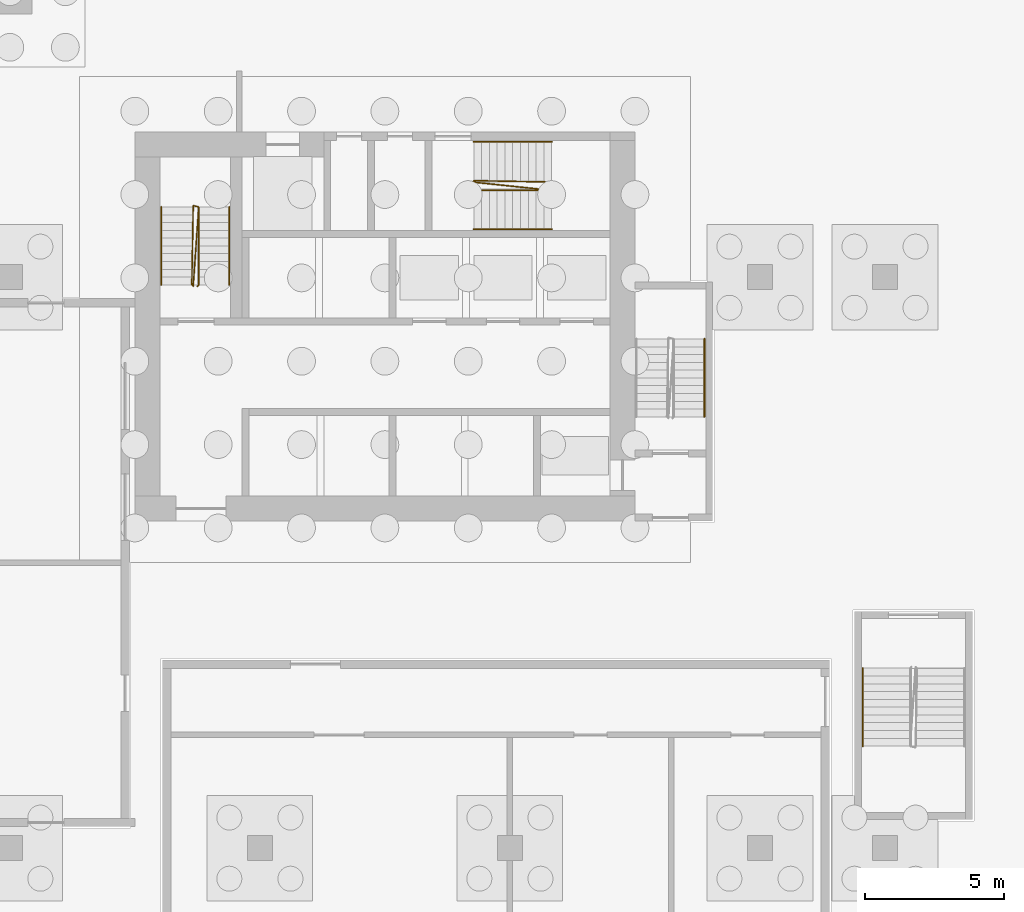
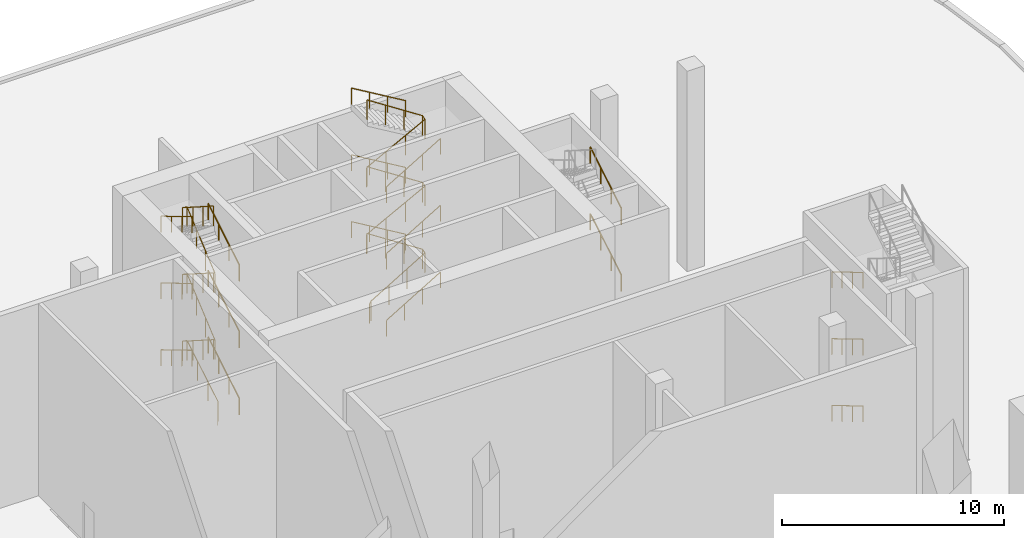
# One storey, part 24 of 26: 19 railings.
"""IFC4 building model written with IfcOpenShell, lengths in metres."""

from ifc_helpers import new_model, si_unit, direction, frame, origin, origin_2d, place, context, subcontext, project, spatial, circle, extrude, material, type_object, element, save


model = new_model("IFC4")

# Units and contexts
model_context = context("Model", 3, precision=1e-05, world=origin(), true_north=direction((0.0, 1.0)))
body_context = subcontext(model_context, "Body", "Model", "MODEL_VIEW")
ifc_project = project(units=[si_unit("LENGTHUNIT", "METRE"), si_unit("AREAUNIT", "SQUARE_METRE"), si_unit("VOLUMEUNIT", "CUBIC_METRE"), si_unit("PLANEANGLEUNIT", "RADIAN"), si_unit("MASSUNIT", "GRAM", prefix="KILO")], contexts=[model_context])

# Site, building, storey
site_placement = place(None, origin())
site = spatial("IfcSite", under=ifc_project, at=site_placement, CompositionType="ELEMENT")
building_placement = place(site_placement, origin())
building = spatial("IfcBuilding", under=site, at=building_placement, Name="Kajstack Hotel Tower", CompositionType="ELEMENT")
storey_placement = place(building_placement, origin())
storey = spatial("IfcBuildingStorey", under=building, at=storey_placement, Name="L00", CompositionType="ELEMENT", Elevation=0.0)

# Railings
ifc_material = material(Name="Steel S355J2", Category="steel")
railing_type_1 = type_object("IfcRailingType", Name="Stair guard 1100", PredefinedType="GUARDRAIL", material=ifc_material)
railing_1_placement = place(storey_placement, frame((15.75, 9.949951171875, 0.0)))
element("IfcRailing", 1, at=railing_1_placement, inside=storey, type_object=railing_type_1, Name="L00 E2 stair guard 1", PredefinedType="GUARDRAIL", context=body_context, shape_type="SweptSolid", body=[
    extrude(circle(Radius=0.02392578125, at=origin_2d()), frame((0.0, 0.0, 1.076171875), z_axis=(0.27628659633, 0.27628659633, 0.920506074601), x_axis=(-0.707106781187, 0.707106781187, 0.0)), (0.0, 0.0, 1.0), 0.18115234375),
    extrude(circle(Radius=0.02392578125, at=origin_2d()), frame((0.050048828125, 0.050048828125, 1.24267578125), z_axis=(0.0, 0.859318757487, 0.511440390497), x_axis=(-1.0, 0.0, 0.0)), (0.0, 0.0, 1.0), 3.258544921875),
    extrude(circle(Radius=0.02392578125, at=origin_2d()), frame((0.050048828125, 2.85009765625, 2.9091796875), z_axis=(-0.970072785993, 0.242814311512, 0.0), x_axis=(-0.242814311512, -0.970072785993, 0.0)), (0.0, 0.0, 1.0), 0.2060546875),
    extrude(circle(Radius=0.02392578125, at=origin_2d()), frame((-0.14990234375, 2.900146484375, 2.9091796875), z_axis=(-0.014766769939, -0.84091352328, 0.54096801095), x_axis=(0.999845851991, -0.017557683712, 0.0)), (0.0, 0.0, 1.0), 3.389404296875),
    extrude(circle(Radius=0.02392578125, at=origin_2d()), frame((-0.199951171875, 0.050048828125, 4.74267578125), z_axis=(0.707106781187, -0.707106781187, 0.0), x_axis=(0.707106781187, 0.707106781187, 0.0)), (0.0, 0.0, 1.0), 0.07080078125),
    extrude(circle(Radius=0.02392578125, at=origin_2d()), frame((-0.14990234375, 0.0, 4.74267578125), z_axis=(0.058901337739, 0.839577798244, 0.540036807179), x_axis=(-0.997548121837, 0.06998388828, 0.0)), (0.0, 0.0, 1.0), 3.394775390625),
    extrude(circle(Radius=0.02392578125, at=origin_2d()), frame((0.050048828125, 2.85009765625, 6.576171875), z_axis=(-0.970072785993, 0.242814311512, 0.0), x_axis=(-0.242814311512, -0.970072785993, 0.0)), (0.0, 0.0, 1.0), 0.2060546875),
    extrude(circle(Radius=0.02392578125, at=origin_2d()), frame((-0.14990234375, 2.900146484375, 6.576171875), z_axis=(-0.01476734536, -0.840946291363, 0.540917055152), x_axis=(0.999845851991, -0.017557683712, 0.0)), (0.0, 0.0, 1.0), 3.38916015625),
    extrude(circle(Radius=0.02392578125, at=origin_2d()), frame((-0.199951171875, 0.050048828125, 8.4091796875), z_axis=(0.707106781187, -0.707106781187, 0.0), x_axis=(0.707106781187, 0.707106781187, 0.0)), (0.0, 0.0, 1.0), 0.07080078125),
    extrude(circle(Radius=0.02392578125, at=origin_2d()), frame((-0.14990234375, 0.0, 8.4091796875), z_axis=(0.058899050069, 0.839545189867, 0.540087748493), x_axis=(-0.997548121837, 0.06998388828, 0.0)), (0.0, 0.0, 1.0), 3.394775390625),
    extrude(circle(Radius=0.02392578125, at=origin_2d()), frame((0.050048828125, 2.85009765625, 10.24267578125), z_axis=(-0.970072785993, 0.242814311512, 0.0), x_axis=(-0.242814311512, -0.970072785993, 0.0)), (0.0, 0.0, 1.0), 0.2060546875),
    extrude(circle(Radius=0.02392578125, at=origin_2d()), frame((-0.14990234375, 2.900146484375, 10.24267578125), z_axis=(-0.01476734536, -0.840946291363, 0.540917055152), x_axis=(0.999845851991, -0.017557683712, 0.0)), (0.0, 0.0, 1.0), 3.38916015625),
    extrude(circle(Radius=0.02099609375, at=origin_2d()), origin(), (0.0, 0.0, 1.0), 1.052001953125),
    extrude(circle(Radius=0.02099609375, at=origin_2d()), frame((0.050048828125, 0.050048828125, 0.166748046875)), (0.0, 0.0, 1.0), 1.052001953125),
    extrude(circle(Radius=0.02099609375, at=origin_2d()), frame((0.050048828125, 0.9833984375, 0.72216796875)), (0.0, 0.0, 1.0), 1.052001953125),
    extrude(circle(Radius=0.02099609375, at=origin_2d()), frame((0.050048828125, 1.916748046875, 1.27783203125)), (0.0, 0.0, 1.0), 1.052001953125),
    extrude(circle(Radius=0.02099609375, at=origin_2d()), frame((0.050048828125, 2.85009765625, 1.833251953125)), (0.0, 0.0, 1.0), 1.052001953125),
    extrude(circle(Radius=0.02099609375, at=origin_2d()), frame((-0.14990234375, 2.900146484375, 1.833251953125)), (0.0, 0.0, 1.0), 1.052001953125),
    extrude(circle(Radius=0.02099609375, at=origin_2d()), frame((-0.16650390625, 1.9501953125, 2.4443359375)), (0.0, 0.0, 1.0), 1.052001953125),
    extrude(circle(Radius=0.02099609375, at=origin_2d()), frame((-0.183349609375, 1.0, 3.0556640625)), (0.0, 0.0, 1.0), 1.052001953125),
    extrude(circle(Radius=0.02099609375, at=origin_2d()), frame((-0.199951171875, 0.050048828125, 3.666748046875)), (0.0, 0.0, 1.0), 1.052001953125),
    extrude(circle(Radius=0.02099609375, at=origin_2d()), frame((-0.14990234375, 0.0, 3.666748046875)), (0.0, 0.0, 1.0), 1.052001953125),
    extrude(circle(Radius=0.02099609375, at=origin_2d()), frame((-0.083251953125, 0.949951171875, 4.27783203125)), (0.0, 0.0, 1.0), 1.052001953125),
    extrude(circle(Radius=0.02099609375, at=origin_2d()), frame((-0.0166015625, 1.900146484375, 4.888916015625)), (0.0, 0.0, 1.0), 1.052001953125),
    extrude(circle(Radius=0.02099609375, at=origin_2d()), frame((0.050048828125, 2.85009765625, 5.5)), (0.0, 0.0, 1.0), 1.052001953125),
    extrude(circle(Radius=0.02099609375, at=origin_2d()), frame((-0.14990234375, 2.900146484375, 5.5)), (0.0, 0.0, 1.0), 1.052001953125),
    extrude(circle(Radius=0.02099609375, at=origin_2d()), frame((-0.16650390625, 1.9501953125, 6.111083984375)), (0.0, 0.0, 1.0), 1.052001953125),
    extrude(circle(Radius=0.02099609375, at=origin_2d()), frame((-0.183349609375, 1.0, 6.72216796875)), (0.0, 0.0, 1.0), 1.052001953125),
    extrude(circle(Radius=0.02099609375, at=origin_2d()), frame((-0.199951171875, 0.050048828125, 7.333251953125)), (0.0, 0.0, 1.0), 1.052001953125),
    extrude(circle(Radius=0.02099609375, at=origin_2d()), frame((-0.14990234375, 0.0, 7.333251953125)), (0.0, 0.0, 1.0), 1.052001953125),
    extrude(circle(Radius=0.02099609375, at=origin_2d()), frame((-0.083251953125, 0.949951171875, 7.9443359375)), (0.0, 0.0, 1.0), 1.052001953125),
    extrude(circle(Radius=0.02099609375, at=origin_2d()), frame((-0.0166015625, 1.900146484375, 8.5556640625)), (0.0, 0.0, 1.0), 1.052001953125),
    extrude(circle(Radius=0.02099609375, at=origin_2d()), frame((0.050048828125, 2.85009765625, 9.166748046875)), (0.0, 0.0, 1.0), 1.052001953125),
    extrude(circle(Radius=0.02099609375, at=origin_2d()), frame((-0.14990234375, 2.900146484375, 9.166748046875)), (0.0, 0.0, 1.0), 1.052001953125),
    extrude(circle(Radius=0.02099609375, at=origin_2d()), frame((-0.16650390625, 1.9501953125, 9.77783203125)), (0.0, 0.0, 1.0), 1.052001953125),
    extrude(circle(Radius=0.02099609375, at=origin_2d()), frame((-0.183349609375, 1.0, 10.388916015625)), (0.0, 0.0, 1.0), 1.052001953125),
    extrude(circle(Radius=0.02099609375, at=origin_2d()), frame((-0.199951171875, 0.050048828125, 11.0)), (0.0, 0.0, 1.0), 1.052001953125),
])
railing_2_placement = place(storey_placement, frame((25.64990234375, 13.449951171875, 0.0)))
element("IfcRailing", 2, at=railing_2_placement, inside=storey, type_object=railing_type_1, Name="L00 E3 stair guard 1", PredefinedType="GUARDRAIL", context=body_context, shape_type="SweptSolid", body=[
    extrude(circle(Radius=0.02392578125, at=origin_2d()), frame((0.0, 0.0, 1.076171875), z_axis=(0.27628659633, -0.27628659633, 0.920506074601), x_axis=(0.707106781187, 0.707106781187, 0.0)), (0.0, 0.0, 1.0), 0.18115234375),
    extrude(circle(Radius=0.02392578125, at=origin_2d()), frame((0.050048828125, -0.050048828125, 1.24267578125), z_axis=(0.859318757487, 0.0, 0.511440390497), x_axis=(0.0, 1.0, 0.0)), (0.0, 0.0, 1.0), 3.258544921875),
    extrude(circle(Radius=0.02392578125, at=origin_2d()), frame((2.85009765625, -0.050048828125, 2.9091796875), z_axis=(0.164529134168, 0.986372223864, 0.0), x_axis=(-0.986372223864, 0.164529134168, 0.0)), (0.0, 0.0, 1.0), 0.30419921875),
    extrude(circle(Radius=0.02392578125, at=origin_2d()), frame((2.900146484375, 0.25, 2.9091796875), z_axis=(-0.84091352328, 0.014766769939, 0.54096801095), x_axis=(-0.017557683712, -0.999845851991, 0.0)), (0.0, 0.0, 1.0), 3.389404296875),
    extrude(circle(Radius=0.02392578125, at=origin_2d()), frame((0.050048828125, 0.300048828125, 4.74267578125), z_axis=(-0.707106781187, -0.707106781187, 0.0), x_axis=(0.707106781187, -0.707106781187, 0.0)), (0.0, 0.0, 1.0), 0.07080078125),
    extrude(circle(Radius=0.02392578125, at=origin_2d()), frame((0.0, 0.25, 4.74267578125), z_axis=(0.837760544997, -0.088196651516, 0.538867905806), x_axis=(0.104698088099, 0.994504052455, 0.0)), (0.0, 0.0, 1.0), 3.402099609375),
    extrude(circle(Radius=0.02392578125, at=origin_2d()), frame((2.85009765625, -0.050048828125, 6.576171875), z_axis=(0.164529134168, 0.986372223864, 0.0), x_axis=(-0.986372223864, 0.164529134168, 0.0)), (0.0, 0.0, 1.0), 0.30419921875),
    extrude(circle(Radius=0.02392578125, at=origin_2d()), frame((2.900146484375, 0.25, 6.576171875), z_axis=(-0.840946291363, 0.01476734536, 0.540917055152), x_axis=(-0.017557683712, -0.999845851991, 0.0)), (0.0, 0.0, 1.0), 3.38916015625),
    extrude(circle(Radius=0.02392578125, at=origin_2d()), frame((0.050048828125, 0.300048828125, 8.4091796875), z_axis=(-0.707106781187, -0.707106781187, 0.0), x_axis=(0.707106781187, -0.707106781187, 0.0)), (0.0, 0.0, 1.0), 0.07080078125),
    extrude(circle(Radius=0.02392578125, at=origin_2d()), frame((0.0, 0.25, 8.4091796875), z_axis=(0.837728147895, -0.088193240857, 0.538918827368), x_axis=(0.104698088099, 0.994504052455, 0.0)), (0.0, 0.0, 1.0), 3.402099609375),
    extrude(circle(Radius=0.02392578125, at=origin_2d()), frame((2.85009765625, -0.050048828125, 10.24267578125), z_axis=(0.164529134168, 0.986372223864, 0.0), x_axis=(-0.986372223864, 0.164529134168, 0.0)), (0.0, 0.0, 1.0), 0.30419921875),
    extrude(circle(Radius=0.02392578125, at=origin_2d()), frame((2.900146484375, 0.25, 10.24267578125), z_axis=(-0.840946291363, 0.01476734536, 0.540917055152), x_axis=(-0.017557683712, -0.999845851991, 0.0)), (0.0, 0.0, 1.0), 3.38916015625),
    extrude(circle(Radius=0.02099609375, at=origin_2d()), origin(), (0.0, 0.0, 1.0), 1.052001953125),
    extrude(circle(Radius=0.02099609375, at=origin_2d()), frame((0.050048828125, -0.050048828125, 0.166748046875)), (0.0, 0.0, 1.0), 1.052001953125),
    extrude(circle(Radius=0.02099609375, at=origin_2d()), frame((0.9833984375, -0.050048828125, 0.72216796875)), (0.0, 0.0, 1.0), 1.052001953125),
    extrude(circle(Radius=0.02099609375, at=origin_2d()), frame((1.916748046875, -0.050048828125, 1.27783203125)), (0.0, 0.0, 1.0), 1.052001953125),
    extrude(circle(Radius=0.02099609375, at=origin_2d()), frame((2.85009765625, -0.050048828125, 1.833251953125)), (0.0, 0.0, 1.0), 1.052001953125),
    extrude(circle(Radius=0.02099609375, at=origin_2d()), frame((2.900146484375, 0.25, 1.833251953125)), (0.0, 0.0, 1.0), 1.052001953125),
    extrude(circle(Radius=0.02099609375, at=origin_2d()), frame((1.9501953125, 0.2666015625, 2.4443359375)), (0.0, 0.0, 1.0), 1.052001953125),
    extrude(circle(Radius=0.02099609375, at=origin_2d()), frame((1.0, 0.283447265625, 3.0556640625)), (0.0, 0.0, 1.0), 1.052001953125),
    extrude(circle(Radius=0.02099609375, at=origin_2d()), frame((0.050048828125, 0.300048828125, 3.666748046875)), (0.0, 0.0, 1.0), 1.052001953125),
    extrude(circle(Radius=0.02099609375, at=origin_2d()), frame((0.0, 0.25, 3.666748046875)), (0.0, 0.0, 1.0), 1.052001953125),
    extrude(circle(Radius=0.02099609375, at=origin_2d()), frame((0.949951171875, 0.14990234375, 4.27783203125)), (0.0, 0.0, 1.0), 1.052001953125),
    extrude(circle(Radius=0.02099609375, at=origin_2d()), frame((1.900146484375, 0.050048828125, 4.888916015625)), (0.0, 0.0, 1.0), 1.052001953125),
    extrude(circle(Radius=0.02099609375, at=origin_2d()), frame((2.85009765625, -0.050048828125, 5.5)), (0.0, 0.0, 1.0), 1.052001953125),
    extrude(circle(Radius=0.02099609375, at=origin_2d()), frame((2.900146484375, 0.25, 5.5)), (0.0, 0.0, 1.0), 1.052001953125),
    extrude(circle(Radius=0.02099609375, at=origin_2d()), frame((1.9501953125, 0.2666015625, 6.111083984375)), (0.0, 0.0, 1.0), 1.052001953125),
    extrude(circle(Radius=0.02099609375, at=origin_2d()), frame((1.0, 0.283447265625, 6.72216796875)), (0.0, 0.0, 1.0), 1.052001953125),
    extrude(circle(Radius=0.02099609375, at=origin_2d()), frame((0.050048828125, 0.300048828125, 7.333251953125)), (0.0, 0.0, 1.0), 1.052001953125),
    extrude(circle(Radius=0.02099609375, at=origin_2d()), frame((0.0, 0.25, 7.333251953125)), (0.0, 0.0, 1.0), 1.052001953125),
    extrude(circle(Radius=0.02099609375, at=origin_2d()), frame((0.949951171875, 0.14990234375, 7.9443359375)), (0.0, 0.0, 1.0), 1.052001953125),
    extrude(circle(Radius=0.02099609375, at=origin_2d()), frame((1.900146484375, 0.050048828125, 8.5556640625)), (0.0, 0.0, 1.0), 1.052001953125),
    extrude(circle(Radius=0.02099609375, at=origin_2d()), frame((2.85009765625, -0.050048828125, 9.166748046875)), (0.0, 0.0, 1.0), 1.052001953125),
    extrude(circle(Radius=0.02099609375, at=origin_2d()), frame((2.900146484375, 0.25, 9.166748046875)), (0.0, 0.0, 1.0), 1.052001953125),
    extrude(circle(Radius=0.02099609375, at=origin_2d()), frame((1.9501953125, 0.2666015625, 9.77783203125)), (0.0, 0.0, 1.0), 1.052001953125),
    extrude(circle(Radius=0.02099609375, at=origin_2d()), frame((1.0, 0.283447265625, 10.388916015625)), (0.0, 0.0, 1.0), 1.052001953125),
    extrude(circle(Radius=0.02099609375, at=origin_2d()), frame((0.050048828125, 0.300048828125, 11.0)), (0.0, 0.0, 1.0), 1.052001953125),
])
railing_type_2 = type_object("IfcRailingType", Name="Stair handrail 900", PredefinedType="HANDRAIL", material=ifc_material)
for number, where, name in (
    (3, (34.0, 5.25, 3.833251953125), "L00 E1 stair handrail 3"),
    (4, (34.0, 5.25, 7.5), "L00 E1 stair handrail 5"),
):
    element("IfcRailing", number, at=place(storey_placement, frame(where)), inside=storey, type_object=railing_type_2, Name=name, PredefinedType="HANDRAIL", context=body_context, shape_type="SweptSolid", body=[
        extrude(circle(Radius=0.02392578125, at=origin_2d()), frame((0.0, 0.0, 0.8759765625), z_axis=(0.0, 0.859285828005, 0.511495714342), x_axis=(-1.0, 0.0, 0.0)), (0.0, 0.0, 1.0), 3.258544921875),
        extrude(circle(Radius=0.02099609375, at=origin_2d()), origin(), (0.0, 0.0, 1.0), 0.851806640625),
        extrude(circle(Radius=0.02099609375, at=origin_2d()), frame((0.0, 0.933349609375, 0.5556640625)), (0.0, 0.0, 1.0), 0.851806640625),
        extrude(circle(Radius=0.02099609375, at=origin_2d()), frame((0.0, 1.86669921875, 1.111083984375)), (0.0, 0.0, 1.0), 0.851806640625),
        extrude(circle(Radius=0.02099609375, at=origin_2d()), frame((0.0, 2.800048828125, 1.666748046875)), (0.0, 0.0, 1.0), 0.851806640625),
    ])
railing_3_placement = place(storey_placement, frame((16.89990234375, 10.0, 0.166748046875)))
element("IfcRailing", 5, at=railing_3_placement, inside=storey, type_object=railing_type_2, Name="L00 E2 stair handrail 1", PredefinedType="HANDRAIL", context=body_context, shape_type="SweptSolid", body=[
    extrude(circle(Radius=0.02392578125, at=origin_2d()), frame((0.0, 0.0, 0.8759765625), z_axis=(0.0, 0.859318757487, 0.511440390497), x_axis=(-1.0, 0.0, 0.0)), (0.0, 0.0, 1.0), 3.258544921875),
    extrude(circle(Radius=0.02099609375, at=origin_2d()), origin(), (0.0, 0.0, 1.0), 0.851806640625),
    extrude(circle(Radius=0.02099609375, at=origin_2d()), frame((0.0, 0.933349609375, 0.555419921875)), (0.0, 0.0, 1.0), 0.851806640625),
    extrude(circle(Radius=0.02099609375, at=origin_2d()), frame((0.0, 1.86669921875, 1.111083984375)), (0.0, 0.0, 1.0), 0.851806640625),
    extrude(circle(Radius=0.02099609375, at=origin_2d()), frame((0.0, 2.800048828125, 1.66650390625)), (0.0, 0.0, 1.0), 0.851806640625),
])
railing_4_placement = place(storey_placement, frame((14.449951171875, 12.800048828125, 2.0)))
element("IfcRailing", 6, at=railing_4_placement, inside=storey, type_object=railing_type_2, Name="L00 E2 stair handrail 2", PredefinedType="HANDRAIL", context=body_context, shape_type="SweptSolid", body=[
    extrude(circle(Radius=0.02392578125, at=origin_2d()), frame((0.0, 0.0, 0.8759765625), z_axis=(0.0, -0.859285828005, 0.511495714342), x_axis=(1.0, 0.0, 0.0)), (0.0, 0.0, 1.0), 3.258544921875),
    extrude(circle(Radius=0.02099609375, at=origin_2d()), origin(), (0.0, 0.0, 1.0), 0.851806640625),
    extrude(circle(Radius=0.02099609375, at=origin_2d()), frame((0.0, -0.933349609375, 0.5556640625)), (0.0, 0.0, 1.0), 0.851806640625),
    extrude(circle(Radius=0.02099609375, at=origin_2d()), frame((0.0, -1.86669921875, 1.111083984375)), (0.0, 0.0, 1.0), 0.851806640625),
    extrude(circle(Radius=0.02099609375, at=origin_2d()), frame((0.0, -2.800048828125, 1.666748046875)), (0.0, 0.0, 1.0), 0.851806640625),
])
railing_5_placement = place(storey_placement, frame((16.89990234375, 10.0, 3.833251953125)))
element("IfcRailing", 7, at=railing_5_placement, inside=storey, type_object=railing_type_2, Name="L00 E2 stair handrail 3", PredefinedType="HANDRAIL", context=body_context, shape_type="SweptSolid", body=[
    extrude(circle(Radius=0.02392578125, at=origin_2d()), frame((0.0, 0.0, 0.8759765625), z_axis=(0.0, 0.859285828005, 0.511495714342), x_axis=(-1.0, 0.0, 0.0)), (0.0, 0.0, 1.0), 3.258544921875),
    extrude(circle(Radius=0.02099609375, at=origin_2d()), origin(), (0.0, 0.0, 1.0), 0.851806640625),
    extrude(circle(Radius=0.02099609375, at=origin_2d()), frame((0.0, 0.933349609375, 0.5556640625)), (0.0, 0.0, 1.0), 0.851806640625),
    extrude(circle(Radius=0.02099609375, at=origin_2d()), frame((0.0, 1.86669921875, 1.111083984375)), (0.0, 0.0, 1.0), 0.851806640625),
    extrude(circle(Radius=0.02099609375, at=origin_2d()), frame((0.0, 2.800048828125, 1.666748046875)), (0.0, 0.0, 1.0), 0.851806640625),
])
railing_6_placement = place(storey_placement, frame((14.449951171875, 12.800048828125, 5.666748046875)))
element("IfcRailing", 8, at=railing_6_placement, inside=storey, type_object=railing_type_2, Name="L00 E2 stair handrail 4", PredefinedType="HANDRAIL", context=body_context, shape_type="SweptSolid", body=[
    extrude(circle(Radius=0.02392578125, at=origin_2d()), frame((0.0, 0.0, 0.8759765625), z_axis=(0.0, -0.859318757487, 0.511440390497), x_axis=(1.0, 0.0, 0.0)), (0.0, 0.0, 1.0), 3.258544921875),
    extrude(circle(Radius=0.02099609375, at=origin_2d()), origin(), (0.0, 0.0, 1.0), 0.851806640625),
    extrude(circle(Radius=0.02099609375, at=origin_2d()), frame((0.0, -0.933349609375, 0.555419921875)), (0.0, 0.0, 1.0), 0.851806640625),
    extrude(circle(Radius=0.02099609375, at=origin_2d()), frame((0.0, -1.86669921875, 1.111083984375)), (0.0, 0.0, 1.0), 0.851806640625),
    extrude(circle(Radius=0.02099609375, at=origin_2d()), frame((0.0, -2.800048828125, 1.66650390625)), (0.0, 0.0, 1.0), 0.851806640625),
])
railing_7_placement = place(storey_placement, frame((16.89990234375, 10.0, 7.5)))
element("IfcRailing", 9, at=railing_7_placement, inside=storey, type_object=railing_type_2, Name="L00 E2 stair handrail 5", PredefinedType="HANDRAIL", context=body_context, shape_type="SweptSolid", body=[
    extrude(circle(Radius=0.02392578125, at=origin_2d()), frame((0.0, 0.0, 0.8759765625), z_axis=(0.0, 0.859285828005, 0.511495714342), x_axis=(-1.0, 0.0, 0.0)), (0.0, 0.0, 1.0), 3.258544921875),
    extrude(circle(Radius=0.02099609375, at=origin_2d()), origin(), (0.0, 0.0, 1.0), 0.851806640625),
    extrude(circle(Radius=0.02099609375, at=origin_2d()), frame((0.0, 0.933349609375, 0.5556640625)), (0.0, 0.0, 1.0), 0.851806640625),
    extrude(circle(Radius=0.02099609375, at=origin_2d()), frame((0.0, 1.86669921875, 1.111083984375)), (0.0, 0.0, 1.0), 0.851806640625),
    extrude(circle(Radius=0.02099609375, at=origin_2d()), frame((0.0, 2.800048828125, 1.666748046875)), (0.0, 0.0, 1.0), 0.851806640625),
])
railing_8_placement = place(storey_placement, frame((14.449951171875, 12.800048828125, 9.333251953125)))
element("IfcRailing", 10, at=railing_8_placement, inside=storey, type_object=railing_type_2, Name="L00 E2 stair handrail 6", PredefinedType="HANDRAIL", context=body_context, shape_type="SweptSolid", body=[
    extrude(circle(Radius=0.02392578125, at=origin_2d()), frame((0.0, 0.0, 0.8759765625), z_axis=(0.0, -0.859285828005, 0.511495714342), x_axis=(1.0, 0.0, 0.0)), (0.0, 0.0, 1.0), 3.258544921875),
    extrude(circle(Radius=0.02099609375, at=origin_2d()), origin(), (0.0, 0.0, 1.0), 0.851806640625),
    extrude(circle(Radius=0.02099609375, at=origin_2d()), frame((0.0, -0.933349609375, 0.5556640625)), (0.0, 0.0, 1.0), 0.851806640625),
    extrude(circle(Radius=0.02099609375, at=origin_2d()), frame((0.0, -1.86669921875, 1.111083984375)), (0.0, 0.0, 1.0), 0.851806640625),
    extrude(circle(Radius=0.02099609375, at=origin_2d()), frame((0.0, -2.800048828125, 1.666748046875)), (0.0, 0.0, 1.0), 0.851806640625),
])
railing_9_placement = place(storey_placement, frame((25.699951171875, 12.0, 0.166748046875)))
element("IfcRailing", 11, at=railing_9_placement, inside=storey, type_object=railing_type_2, Name="L00 E3 stair handrail 1", PredefinedType="HANDRAIL", context=body_context, shape_type="SweptSolid", body=[
    extrude(circle(Radius=0.02392578125, at=origin_2d()), frame((0.0, 0.0, 0.8759765625), z_axis=(0.859318757487, 0.0, 0.511440390497), x_axis=(0.0, 1.0, 0.0)), (0.0, 0.0, 1.0), 3.258544921875),
    extrude(circle(Radius=0.02099609375, at=origin_2d()), origin(), (0.0, 0.0, 1.0), 0.851806640625),
    extrude(circle(Radius=0.02099609375, at=origin_2d()), frame((0.933349609375, 0.0, 0.555419921875)), (0.0, 0.0, 1.0), 0.851806640625),
    extrude(circle(Radius=0.02099609375, at=origin_2d()), frame((1.86669921875, 0.0, 1.111083984375)), (0.0, 0.0, 1.0), 0.851806640625),
    extrude(circle(Radius=0.02099609375, at=origin_2d()), frame((2.800048828125, 0.0, 1.66650390625)), (0.0, 0.0, 1.0), 0.851806640625),
])
railing_10_placement = place(storey_placement, frame((28.5, 15.14990234375, 2.0)))
element("IfcRailing", 12, at=railing_10_placement, inside=storey, type_object=railing_type_2, Name="L00 E3 stair handrail 2", PredefinedType="HANDRAIL", context=body_context, shape_type="SweptSolid", body=[
    extrude(circle(Radius=0.02392578125, at=origin_2d()), frame((0.0, 0.0, 0.8759765625), z_axis=(-0.859285828005, 0.0, 0.511495714342), x_axis=(0.0, -1.0, 0.0)), (0.0, 0.0, 1.0), 3.258544921875),
    extrude(circle(Radius=0.02099609375, at=origin_2d()), origin(), (0.0, 0.0, 1.0), 0.851806640625),
    extrude(circle(Radius=0.02099609375, at=origin_2d()), frame((-0.933349609375, 0.0, 0.5556640625)), (0.0, 0.0, 1.0), 0.851806640625),
    extrude(circle(Radius=0.02099609375, at=origin_2d()), frame((-1.86669921875, 0.0, 1.111083984375)), (0.0, 0.0, 1.0), 0.851806640625),
    extrude(circle(Radius=0.02099609375, at=origin_2d()), frame((-2.800048828125, 0.0, 1.666748046875)), (0.0, 0.0, 1.0), 0.851806640625),
])
railing_11_placement = place(storey_placement, frame((25.699951171875, 12.0, 3.833251953125)))
element("IfcRailing", 13, at=railing_11_placement, inside=storey, type_object=railing_type_2, Name="L00 E3 stair handrail 3", PredefinedType="HANDRAIL", context=body_context, shape_type="SweptSolid", body=[
    extrude(circle(Radius=0.02392578125, at=origin_2d()), frame((0.0, 0.0, 0.8759765625), z_axis=(0.859285828005, 0.0, 0.511495714342), x_axis=(0.0, 1.0, 0.0)), (0.0, 0.0, 1.0), 3.258544921875),
    extrude(circle(Radius=0.02099609375, at=origin_2d()), origin(), (0.0, 0.0, 1.0), 0.851806640625),
    extrude(circle(Radius=0.02099609375, at=origin_2d()), frame((0.933349609375, 0.0, 0.5556640625)), (0.0, 0.0, 1.0), 0.851806640625),
    extrude(circle(Radius=0.02099609375, at=origin_2d()), frame((1.86669921875, 0.0, 1.111083984375)), (0.0, 0.0, 1.0), 0.851806640625),
    extrude(circle(Radius=0.02099609375, at=origin_2d()), frame((2.800048828125, 0.0, 1.666748046875)), (0.0, 0.0, 1.0), 0.851806640625),
])
railing_12_placement = place(storey_placement, frame((28.5, 15.14990234375, 5.666748046875)))
element("IfcRailing", 14, at=railing_12_placement, inside=storey, type_object=railing_type_2, Name="L00 E3 stair handrail 4", PredefinedType="HANDRAIL", context=body_context, shape_type="SweptSolid", body=[
    extrude(circle(Radius=0.02392578125, at=origin_2d()), frame((0.0, 0.0, 0.8759765625), z_axis=(-0.859318757487, 0.0, 0.511440390497), x_axis=(0.0, -1.0, 0.0)), (0.0, 0.0, 1.0), 3.258544921875),
    extrude(circle(Radius=0.02099609375, at=origin_2d()), origin(), (0.0, 0.0, 1.0), 0.851806640625),
    extrude(circle(Radius=0.02099609375, at=origin_2d()), frame((-0.933349609375, 0.0, 0.555419921875)), (0.0, 0.0, 1.0), 0.851806640625),
    extrude(circle(Radius=0.02099609375, at=origin_2d()), frame((-1.86669921875, 0.0, 1.111083984375)), (0.0, 0.0, 1.0), 0.851806640625),
    extrude(circle(Radius=0.02099609375, at=origin_2d()), frame((-2.800048828125, 0.0, 1.66650390625)), (0.0, 0.0, 1.0), 0.851806640625),
])
railing_13_placement = place(storey_placement, frame((25.699951171875, 12.0, 7.5)))
element("IfcRailing", 15, at=railing_13_placement, inside=storey, type_object=railing_type_2, Name="L00 E3 stair handrail 5", PredefinedType="HANDRAIL", context=body_context, shape_type="SweptSolid", body=[
    extrude(circle(Radius=0.02392578125, at=origin_2d()), frame((0.0, 0.0, 0.8759765625), z_axis=(0.859285828005, 0.0, 0.511495714342), x_axis=(0.0, 1.0, 0.0)), (0.0, 0.0, 1.0), 3.258544921875),
    extrude(circle(Radius=0.02099609375, at=origin_2d()), origin(), (0.0, 0.0, 1.0), 0.851806640625),
    extrude(circle(Radius=0.02099609375, at=origin_2d()), frame((0.933349609375, 0.0, 0.5556640625)), (0.0, 0.0, 1.0), 0.851806640625),
    extrude(circle(Radius=0.02099609375, at=origin_2d()), frame((1.86669921875, 0.0, 1.111083984375)), (0.0, 0.0, 1.0), 0.851806640625),
    extrude(circle(Radius=0.02099609375, at=origin_2d()), frame((2.800048828125, 0.0, 1.666748046875)), (0.0, 0.0, 1.0), 0.851806640625),
])
railing_14_placement = place(storey_placement, frame((28.5, 15.14990234375, 9.333251953125)))
element("IfcRailing", 16, at=railing_14_placement, inside=storey, type_object=railing_type_2, Name="L00 E3 stair handrail 6", PredefinedType="HANDRAIL", context=body_context, shape_type="SweptSolid", body=[
    extrude(circle(Radius=0.02392578125, at=origin_2d()), frame((0.0, 0.0, 0.8759765625), z_axis=(-0.859285828005, 0.0, 0.511495714342), x_axis=(0.0, -1.0, 0.0)), (0.0, 0.0, 1.0), 3.258544921875),
    extrude(circle(Radius=0.02099609375, at=origin_2d()), origin(), (0.0, 0.0, 1.0), 0.851806640625),
    extrude(circle(Radius=0.02099609375, at=origin_2d()), frame((-0.933349609375, 0.0, 0.5556640625)), (0.0, 0.0, 1.0), 0.851806640625),
    extrude(circle(Radius=0.02099609375, at=origin_2d()), frame((-1.86669921875, 0.0, 1.111083984375)), (0.0, 0.0, 1.0), 0.851806640625),
    extrude(circle(Radius=0.02099609375, at=origin_2d()), frame((-2.800048828125, 0.0, 1.666748046875)), (0.0, 0.0, 1.0), 0.851806640625),
])
railing_15_placement = place(storey_placement, frame((39.699951171875, -3.800048828125, 0.166748046875)))
element("IfcRailing", 17, at=railing_15_placement, inside=storey, type_object=railing_type_2, Name="L00 P2 stair handrail 1", PredefinedType="HANDRAIL", context=body_context, shape_type="SweptSolid", body=[
    extrude(circle(Radius=0.02392578125, at=origin_2d()), frame((0.0, 0.0, 0.8759765625), z_axis=(0.0, -0.859318757487, 0.511440390497), x_axis=(1.0, 0.0, 0.0)), (0.0, 0.0, 1.0), 3.258544921875),
    extrude(circle(Radius=0.02099609375, at=origin_2d()), origin(), (0.0, 0.0, 1.0), 0.851806640625),
    extrude(circle(Radius=0.02099609375, at=origin_2d()), frame((0.0, -0.933349609375, 0.555419921875)), (0.0, 0.0, 1.0), 0.851806640625),
    extrude(circle(Radius=0.02099609375, at=origin_2d()), frame((0.0, -1.86669921875, 1.111083984375)), (0.0, 0.0, 1.0), 0.851806640625),
    extrude(circle(Radius=0.02099609375, at=origin_2d()), frame((0.0, -2.800048828125, 1.66650390625)), (0.0, 0.0, 1.0), 0.851806640625),
])
for number, where, name in (
    (18, (39.699951171875, -3.800048828125, 3.833251953125), "L00 P2 stair handrail 3"),
    (19, (39.699951171875, -3.800048828125, 7.5), "L00 P2 stair handrail 5"),
):
    element("IfcRailing", number, at=place(storey_placement, frame(where)), inside=storey, type_object=railing_type_2, Name=name, PredefinedType="HANDRAIL", context=body_context, shape_type="SweptSolid", body=[
        extrude(circle(Radius=0.02392578125, at=origin_2d()), frame((0.0, 0.0, 0.8759765625), z_axis=(0.0, -0.859285828005, 0.511495714342), x_axis=(1.0, 0.0, 0.0)), (0.0, 0.0, 1.0), 3.258544921875),
        extrude(circle(Radius=0.02099609375, at=origin_2d()), origin(), (0.0, 0.0, 1.0), 0.851806640625),
        extrude(circle(Radius=0.02099609375, at=origin_2d()), frame((0.0, -0.933349609375, 0.5556640625)), (0.0, 0.0, 1.0), 0.851806640625),
        extrude(circle(Radius=0.02099609375, at=origin_2d()), frame((0.0, -1.86669921875, 1.111083984375)), (0.0, 0.0, 1.0), 0.851806640625),
        extrude(circle(Radius=0.02099609375, at=origin_2d()), frame((0.0, -2.800048828125, 1.666748046875)), (0.0, 0.0, 1.0), 0.851806640625),
    ])

save(model, "model.ifc")
